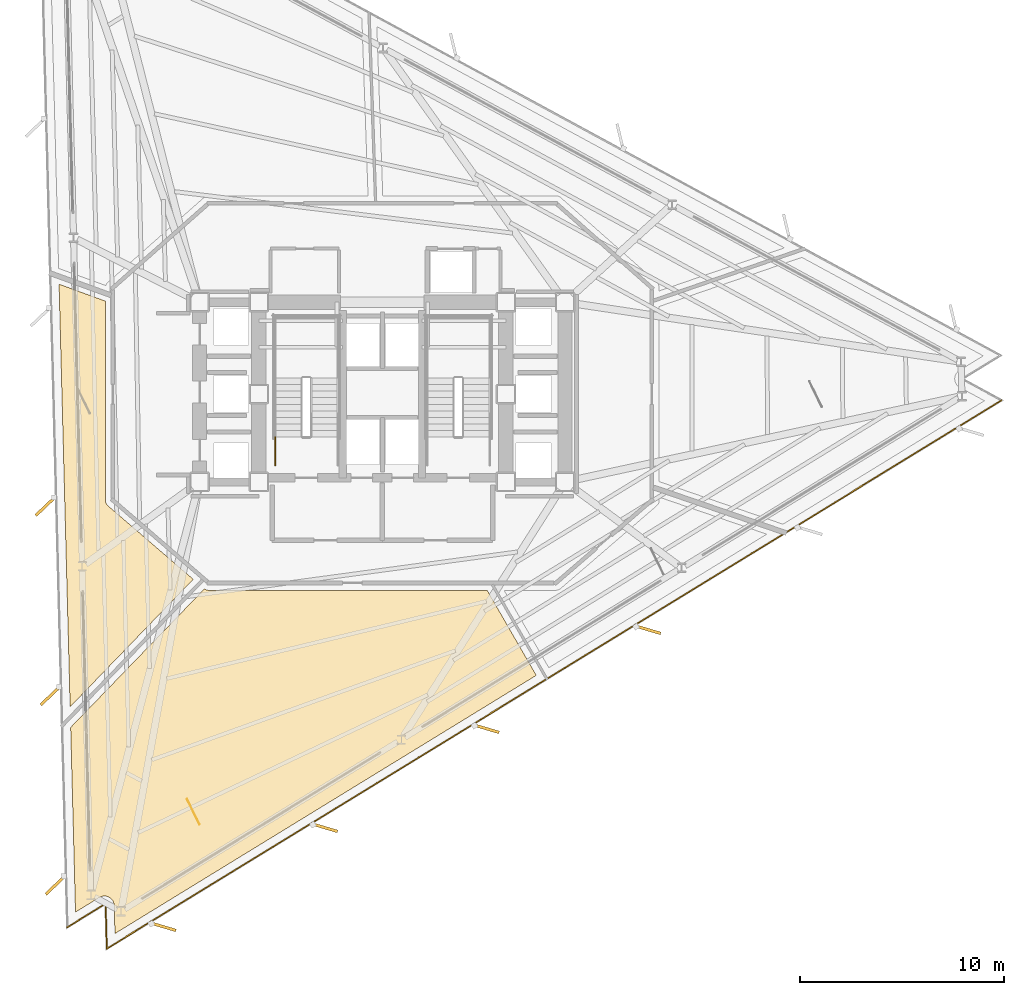
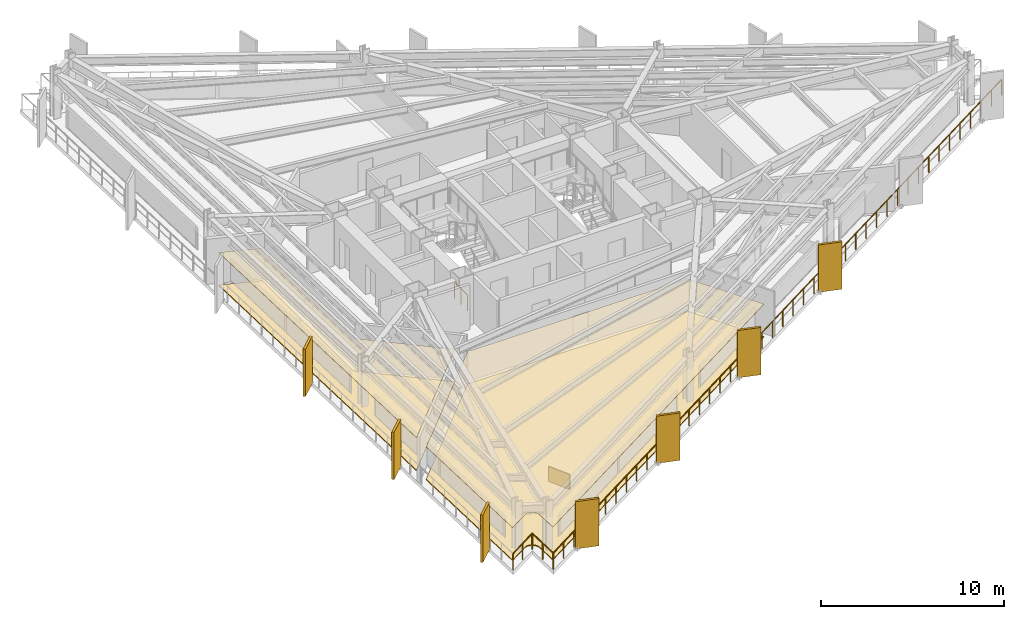
# One storey, part 10 of 14: 7 shading devices, 5 coverings, 2 railings.
"""IFC4 building model written with IfcOpenShell, lengths in metres."""

from ifc_helpers import new_model, si_unit, direction, frame, origin, origin_2d, place, context, subcontext, project, spatial, polyline, rectangle, outline, extrude, material, layer, layer_set, type_object, element, save


model = new_model("IFC4")

# Units and contexts
model_context = context("Model", 3, precision=1e-05, world=origin(), true_north=direction((0.0, 1.0)))
body_context = subcontext(model_context, "Body", "Model", "MODEL_VIEW")
ifc_project = project(units=[si_unit("LENGTHUNIT", "METRE"), si_unit("AREAUNIT", "SQUARE_METRE"), si_unit("VOLUMEUNIT", "CUBIC_METRE"), si_unit("PLANEANGLEUNIT", "RADIAN"), si_unit("MASSUNIT", "GRAM", prefix="KILO")], contexts=[model_context])

# Site, building, storey
site_placement = place(None, origin())
site = spatial("IfcSite", under=ifc_project, at=site_placement, CompositionType="ELEMENT")
building_placement = place(site_placement, origin())
building = spatial("IfcBuilding", under=site, at=building_placement, Name="Rocaltana Carrier Exchange", CompositionType="ELEMENT")
storey_placement = place(building_placement, frame((0.0, 0.0, 42.39990234375)))
storey = spatial("IfcBuildingStorey", under=building, at=storey_placement, Name="L13", CompositionType="ELEMENT", Elevation=42.39990234375)

# Coverings
ifc_material_1 = material(Name="Calcium Sulphate & Aluminium Pedestal", Category="aluminium")
ifc_layer_1 = layer(ifc_material_1, 0.06005859375)
ifc_layer_set_1 = layer_set([ifc_layer_1], Name="Calcium Sulphate & Aluminium Pedestal")
covering_type_1 = type_object("IfcCoveringType", Name="Anti-Static Raised Exchange Access Floor 60", PredefinedType="FLOORING", material=ifc_layer_set_1)
covering_1_placement = place(storey_placement, origin())
element("IfcCovering", 1, at=covering_1_placement, inside=storey, type_object=covering_type_1, Name="L13 Quiet Focus Lounge Finish Floor", PredefinedType="FLOORING", context=body_context, shape_type="SweptSolid", body=[
    extrude(outline(polyline([(-15.83203125, 5.37939453125), (-13.56005859375, 4.55224609375), (-13.56005859375, -5.199951171875), (-13.559814453125, -5.21337890625), (-13.559326171875, -5.220947265625), (-13.556884765625, -5.24755859375), (-13.5556640625, -5.255126953125), (-13.550537109375, -5.281494140625), (-13.548828125, -5.288818359375), (-13.541259765625, -5.314453125), (-13.538818359375, -5.32177734375), (-13.52880859375, -5.346435546875), (-13.525634765625, -5.353515625), (-13.51318359375, -5.377197265625), (-13.509521484375, -5.3837890625), (-13.4951171875, -5.40625), (-13.490478515625, -5.41259765625), (-13.47412109375, -5.433349609375), (-13.468994140625, -5.439208984375), (-13.450439453125, -5.45849609375), (-13.44482421875, -5.4638671875), (-13.43505859375, -5.47265625), (-9.259765625, -9.070556640625), (-15.2900390625, -15.315185546875), (-15.83203125, 5.37939453125)])), origin(), (0.0, 0.0, 1.0), 0.06005859375),
])
covering_2_placement = place(storey_placement, origin())
element("IfcCovering", 2, at=covering_2_placement, inside=storey, type_object=covering_type_1, Name="L13 Quiet Focus Lounge Finish Floor", PredefinedType="FLOORING", context=body_context, shape_type="SweptSolid", body=[
    extrude(outline(polyline([(-13.12939453125, -25.05224609375), (-13.1298828125, -25.038330078125), (-13.131591796875, -25.018310546875), (-13.135009765625, -24.99072265625), (-13.138427734375, -24.97119140625), (-13.144775390625, -24.94384765625), (-13.150146484375, -24.9248046875), (-13.1591796875, -24.898193359375), (-13.16650390625, -24.879638671875), (-13.177978515625, -24.854248046875), (-13.18701171875, -24.83642578125), (-13.200927734375, -24.8125), (-13.2119140625, -24.795654296875), (-13.228271484375, -24.77294921875), (-13.240478515625, -24.75732421875), (-13.259033203125, -24.736572265625), (-13.273193359375, -24.722412109375), (-13.29345703125, -24.703369140625), (-13.308837890625, -24.6904296875), (-13.3310546875, -24.673583984375), (-13.34765625, -24.66259765625), (-13.371337890625, -24.64794921875), (-13.388916015625, -24.638427734375), (-13.4140625, -24.626220703125), (-13.4326171875, -24.61865234375), (-13.458740234375, -24.609130859375), (-13.477783203125, -24.603271484375), (-13.5048828125, -24.596435546875), (-13.5244140625, -24.592529296875), (-13.552001953125, -24.58837890625), (-13.57177734375, -24.58642578125), (-13.599609375, -24.5849609375), (-13.61962890625, -24.585205078125), (-13.6474609375, -24.58642578125), (-13.66748046875, -24.58837890625), (-13.695068359375, -24.5927734375), (-13.714599609375, -24.5966796875), (-13.74169921875, -24.603515625), (-13.760498046875, -24.609619140625), (-13.786865234375, -24.619140625), (-13.80517578125, -24.626708984375), (-13.830322265625, -24.638916015625), (-13.847900390625, -24.6484375), (-13.85986328125, -24.655517578125), (-15.02685546875, -25.37060546875), (-15.263671875, -16.32421875), (-8.71240234375, -9.540283203125), (-8.6943359375, -9.552978515625), (-8.6875, -9.557373046875), (-8.66259765625, -9.571044921875), (-8.6552734375, -9.57470703125), (-8.629150390625, -9.5859375), (-8.62158203125, -9.5888671875), (-8.594482421875, -9.597412109375), (-8.58642578125, -9.599365234375), (-8.55859375, -9.60498046875), (-8.550537109375, -9.606201171875), (-8.522216796875, -9.609130859375), (-8.51416015625, -9.609619140625), (-8.5, -9.610107421875), (5.132568359375, -9.610107421875), (7.53857421875, -13.777099609375), (-13.093505859375, -26.42041015625), (-13.12939453125, -25.05224609375)])), origin(), (0.0, 0.0, 1.0), 0.06005859375),
])
ifc_material_2 = material(Name="Mineral Fibre & Powder-Coated Aluminium", Category="aluminium")
ifc_layer_2 = layer(ifc_material_2, 0.044921875)
ifc_layer_set_2 = layer_set([ifc_layer_2], Name="Mineral Fibre & Powder-Coated Aluminium")
covering_type_2 = type_object("IfcCoveringType", Name="Micro-Perforated Acoustic Ceiling 45", PredefinedType="CEILING", material=ifc_layer_set_2)
covering_3_placement = place(storey_placement, frame((0.0, 0.0, 2.18310546875)))
element("IfcCovering", 3, at=covering_3_placement, inside=storey, type_object=covering_type_2, Name="L13 Quiet Focus Lounge Acoustic Ceiling", PredefinedType="CEILING", context=body_context, shape_type="SweptSolid", body=[
    extrude(outline(polyline([(-15.83203125, 5.37939453125), (-13.56005859375, 4.55224609375), (-13.56005859375, -5.199951171875), (-13.559814453125, -5.21337890625), (-13.559326171875, -5.220947265625), (-13.556884765625, -5.24755859375), (-13.5556640625, -5.255126953125), (-13.550537109375, -5.281494140625), (-13.548828125, -5.288818359375), (-13.541259765625, -5.314453125), (-13.538818359375, -5.32177734375), (-13.52880859375, -5.346435546875), (-13.525634765625, -5.353515625), (-13.51318359375, -5.377197265625), (-13.509521484375, -5.3837890625), (-13.4951171875, -5.40625), (-13.490478515625, -5.41259765625), (-13.47412109375, -5.433349609375), (-13.468994140625, -5.439208984375), (-13.450439453125, -5.45849609375), (-13.44482421875, -5.4638671875), (-13.43505859375, -5.47265625), (-9.259765625, -9.070556640625), (-15.2900390625, -15.315185546875), (-15.83203125, 5.37939453125)])), origin(), (0.0, 0.0, 1.0), 0.044921875),
])
covering_4_placement = place(storey_placement, frame((0.0, 0.0, 2.18310546875)))
element("IfcCovering", 4, at=covering_4_placement, inside=storey, type_object=covering_type_2, Name="L13 Quiet Focus Lounge Acoustic Ceiling", PredefinedType="CEILING", context=body_context, shape_type="SweptSolid", body=[
    extrude(outline(polyline([(-13.12939453125, -25.05224609375), (-13.1298828125, -25.038330078125), (-13.131591796875, -25.018310546875), (-13.135009765625, -24.99072265625), (-13.138427734375, -24.97119140625), (-13.144775390625, -24.94384765625), (-13.150146484375, -24.9248046875), (-13.1591796875, -24.898193359375), (-13.16650390625, -24.879638671875), (-13.177978515625, -24.854248046875), (-13.18701171875, -24.83642578125), (-13.200927734375, -24.8125), (-13.2119140625, -24.795654296875), (-13.228271484375, -24.77294921875), (-13.240478515625, -24.75732421875), (-13.259033203125, -24.736572265625), (-13.273193359375, -24.722412109375), (-13.29345703125, -24.703369140625), (-13.308837890625, -24.6904296875), (-13.3310546875, -24.673583984375), (-13.34765625, -24.66259765625), (-13.371337890625, -24.64794921875), (-13.388916015625, -24.638427734375), (-13.4140625, -24.626220703125), (-13.4326171875, -24.61865234375), (-13.458740234375, -24.609130859375), (-13.477783203125, -24.603271484375), (-13.5048828125, -24.596435546875), (-13.5244140625, -24.592529296875), (-13.552001953125, -24.58837890625), (-13.57177734375, -24.58642578125), (-13.599609375, -24.5849609375), (-13.61962890625, -24.585205078125), (-13.6474609375, -24.58642578125), (-13.66748046875, -24.58837890625), (-13.695068359375, -24.5927734375), (-13.714599609375, -24.5966796875), (-13.74169921875, -24.603515625), (-13.760498046875, -24.609619140625), (-13.786865234375, -24.619140625), (-13.80517578125, -24.626708984375), (-13.830322265625, -24.638916015625), (-13.847900390625, -24.6484375), (-13.85986328125, -24.655517578125), (-15.02685546875, -25.37060546875), (-15.263671875, -16.32421875), (-8.71240234375, -9.540283203125), (-8.6943359375, -9.552978515625), (-8.6875, -9.557373046875), (-8.66259765625, -9.571044921875), (-8.6552734375, -9.57470703125), (-8.629150390625, -9.5859375), (-8.62158203125, -9.5888671875), (-8.594482421875, -9.597412109375), (-8.58642578125, -9.599365234375), (-8.55859375, -9.60498046875), (-8.550537109375, -9.606201171875), (-8.522216796875, -9.609130859375), (-8.51416015625, -9.609619140625), (-8.5, -9.610107421875), (5.132568359375, -9.610107421875), (7.53857421875, -13.777099609375), (-13.093505859375, -26.42041015625), (-13.12939453125, -25.05224609375)])), origin(), (0.0, 0.0, 1.0), 0.044921875),
])

# Railing
ifc_material_3 = material(Name="Powder-Coated Aluminium 6063-T6", Category="aluminium")
ifc_layer_3 = layer(ifc_material_3, 0.048095703125)
ifc_layer_set_3 = layer_set([ifc_layer_3], Name="Powder-Coated Aluminium 6063-T6")
railing_type_1 = type_object("IfcRailingType", Name="Stair Well Guardrail 1100", PredefinedType="GUARDRAIL", material=ifc_layer_set_3)
railing_1_placement = place(storey_placement, frame((-5.25, -3.5, 0.0)))
element("IfcRailing", 5, at=railing_1_placement, inside=storey, type_object=railing_type_1, Name="L13 ST-1 stair guard 9", PredefinedType="GUARDRAIL", context=body_context, shape_type="SweptSolid", body=[
    extrude(rectangle(XDim=0.048095703125, YDim=0.048095703125, at=origin_2d()), frame((0.0, 0.0, 1.076171875), z_axis=(0.0, 1.0, 0.0), x_axis=(-1.0, 0.0, 0.0)), (0.0, 0.0, 1.0), 1.39990234375),
    extrude(rectangle(XDim=0.0419921875, YDim=0.0419921875, at=origin_2d()), origin(), (0.0, 0.0, 1.0), 1.052001953125),
    extrude(rectangle(XDim=0.0419921875, YDim=0.0419921875, at=origin_2d()), frame((0.0, 0.699951171875, 0.0)), (0.0, 0.0, 1.0), 1.052001953125),
    extrude(rectangle(XDim=0.0419921875, YDim=0.0419921875, at=origin_2d()), frame((0.0, 1.39990234375, 0.0)), (0.0, 0.0, 1.0), 1.052001953125),
])

# Covering
ifc_material_4 = material(Name="Honed Piedra Muneca Sandstone", Category="masonry")
ifc_layer_4 = layer(ifc_material_4, 0.034912109375)
ifc_layer_set_4 = layer_set([ifc_layer_4], Name="Honed Piedra Muneca Sandstone")
covering_type_3 = type_object("IfcCoveringType", Name="Stone Facade Cladding 35", PredefinedType="CLADDING", material=ifc_layer_set_4)
covering_5_placement = place(storey_placement, frame((-9.2568359375, -20.45458984375, 0.0), z_axis=(0.0, 0.0, 1.0), x_axis=(-0.438371146789, 0.898794046299, 0.0)))
element("IfcCovering", 6, at=covering_5_placement, inside=storey, type_object=covering_type_3, Name="L13 Stone Facade Cladding Panel 2", PredefinedType="CLADDING", context=body_context, shape_type="SweptSolid", body=[
    extrude(rectangle(XDim=1.39990234375, YDim=0.034912109375, at=origin_2d()), origin(), (0.0, 0.0, 1.0), 1.050048828125),
])

# Shading devices
ifc_material_5 = material(Name="Honed Bogota Sandstone & Concrete C45/55", Category="masonry")
ifc_layer_5 = layer(ifc_material_5, 0.139892578125)
ifc_layer_set_5 = layer_set([ifc_layer_5], Name="Honed Bogota Sandstone & Concrete C45/55")
shading_device_type = type_object("IfcShadingDeviceType", Name="Vertical Sandstone Shading Fin 1320x140", PredefinedType="USERDEFINED", material=ifc_layer_set_5)
for number, where, z_axis, x_axis, name in (
    (7, (-16.488525390625, -5.48828125, -0.1201171875), (0.0, 0.0, 1.0), (-0.725374371012, -0.688354575694, 0.0), "L13 Sandstone Vertical Fin F2-04"),
    (8, (-16.24560546875, -14.76513671875, -0.1201171875), (0.0, 0.0, 1.0), (-0.725374371012, -0.688354575694, 0.0), "L13 Sandstone Vertical Fin F2-05"),
    (9, (-16.002685546875, -24.0419921875, -0.1201171875), (0.0, 0.0, 1.0), (-0.725374371012, -0.688354575694, 0.0), "L13 Sandstone Vertical Fin F2-06"),
    (10, (-10.740234375, -26.081787109375, -0.1201171875), (0.0, 0.0, 1.0), (0.958819734868, -0.284015344704, 0.0), "L13 Sandstone Vertical Fin F3-01"),
    (11, (-2.82763671875, -21.23291015625, -0.1201171875), (0.0, 0.0, 1.0), (0.958819734868, -0.284015344704, 0.0), "L13 Sandstone Vertical Fin F3-02"),
    (12, (5.084716796875, -16.384033203125, -0.1201171875), (0.0, 0.0, 1.0), (0.958819734868, -0.284015344704, 0.0), "L13 Sandstone Vertical Fin F3-03"),
    (13, (12.997314453125, -11.535400390625, -0.1201171875), (0.0, 0.0, 1.0), (0.958819734868, -0.284015344704, 0.0), "L13 Sandstone Vertical Fin F3-04"),
):
    element("IfcShadingDevice", number, at=place(storey_placement, frame(where, z_axis=z_axis, x_axis=x_axis)), inside=storey, type_object=shading_device_type, Name=name, ObjectType="FIN", PredefinedType="USERDEFINED", context=body_context, shape_type="SweptSolid", body=[
        extrude(rectangle(XDim=1.320068359375, YDim=0.139892578125, at=origin_2d()), origin(), (0.0, 0.0, 1.0), 3.157958984375),
    ])

# Railing
ifc_material_6 = material(Name="Powder-Coated Aluminium 6063-T6", Category="aluminium")
ifc_layer_6 = layer(ifc_material_6, 0.06005859375)
ifc_layer_set_6 = layer_set([ifc_layer_6], Name="Powder-Coated Aluminium 6063-T6")
railing_type_2 = type_object("IfcRailingType", Name="Wind-Floor & Terrace Perimeter Guardrail 1100", PredefinedType="GUARDRAIL", material=ifc_layer_set_6)
railing_2_placement = place(storey_placement, frame((30.32470703125, -0.306396484375, 0.0)))
element("IfcRailing", 14, at=railing_2_placement, inside=storey, type_object=railing_type_2, Name="L13 Perimeter Balcony Guardrail 1", PredefinedType="GUARDRAIL", context=body_context, shape_type="SweptSolid", body=[
    extrude(rectangle(XDim=0.048095703125, YDim=0.048095703125, at=origin_2d()), frame((0.0, 0.0, 1.076171875), z_axis=(-0.852639552838, -0.522499562619, 0.0), x_axis=(0.522499562619, -0.852639552838, 0.0)), (0.0, 0.0, 1.0), 51.39208984375),
    extrude(rectangle(XDim=0.048095703125, YDim=0.048095703125, at=origin_2d()), frame((-43.81884765625, -26.852294921875, 1.076171875), z_axis=(-0.026187042546, 0.999657060598, 0.0), x_axis=(-0.999657060598, -0.026187042546, 0.0)), (0.0, 0.0, 1.0), 2.2001953125),
    extrude(rectangle(XDim=0.048095703125, YDim=0.048095703125, at=origin_2d()), frame((-43.87646484375, -24.65283203125, 1.076171875), z_axis=(-0.852598062579, -0.522567262356, 0.0), x_axis=(0.522567262356, -0.852598062579, 0.0)), (0.0, 0.0, 1.0), 2.199951171875),
    extrude(rectangle(XDim=0.0419921875, YDim=0.0419921875, at=origin_2d()), origin(), (0.0, 0.0, 1.0), 1.052001953125),
    extrude(rectangle(XDim=0.0419921875, YDim=0.0419921875, at=origin_2d()), frame((-1.01904296875, -0.62451171875, 0.0)), (0.0, 0.0, 1.0), 1.052001953125),
    extrude(rectangle(XDim=0.0419921875, YDim=0.0419921875, at=origin_2d()), frame((-2.0380859375, -1.2490234375, 0.0)), (0.0, 0.0, 1.0), 1.052001953125),
    extrude(rectangle(XDim=0.0419921875, YDim=0.0419921875, at=origin_2d()), frame((-3.05712890625, -1.87353515625, 0.0)), (0.0, 0.0, 1.0), 1.052001953125),
    extrude(rectangle(XDim=0.0419921875, YDim=0.0419921875, at=origin_2d()), frame((-4.076171875, -2.497802734375, 0.0)), (0.0, 0.0, 1.0), 1.052001953125),
    extrude(rectangle(XDim=0.0419921875, YDim=0.0419921875, at=origin_2d()), frame((-5.09521484375, -3.122314453125, 0.0)), (0.0, 0.0, 1.0), 1.052001953125),
    extrude(rectangle(XDim=0.0419921875, YDim=0.0419921875, at=origin_2d()), frame((-6.1142578125, -3.746826171875, 0.0)), (0.0, 0.0, 1.0), 1.052001953125),
    extrude(rectangle(XDim=0.0419921875, YDim=0.0419921875, at=origin_2d()), frame((-7.13330078125, -4.371337890625, 0.0)), (0.0, 0.0, 1.0), 1.052001953125),
    extrude(rectangle(XDim=0.0419921875, YDim=0.0419921875, at=origin_2d()), frame((-8.15234375, -4.995849609375, 0.0)), (0.0, 0.0, 1.0), 1.052001953125),
    extrude(rectangle(XDim=0.0419921875, YDim=0.0419921875, at=origin_2d()), frame((-9.17138671875, -5.620361328125, 0.0)), (0.0, 0.0, 1.0), 1.052001953125),
    extrude(rectangle(XDim=0.0419921875, YDim=0.0419921875, at=origin_2d()), frame((-10.1904296875, -6.24462890625, 0.0)), (0.0, 0.0, 1.0), 1.052001953125),
    extrude(rectangle(XDim=0.0419921875, YDim=0.0419921875, at=origin_2d()), frame((-11.20947265625, -6.869140625, 0.0)), (0.0, 0.0, 1.0), 1.052001953125),
    extrude(rectangle(XDim=0.0419921875, YDim=0.0419921875, at=origin_2d()), frame((-12.228515625, -7.49365234375, 0.0)), (0.0, 0.0, 1.0), 1.052001953125),
    extrude(rectangle(XDim=0.0419921875, YDim=0.0419921875, at=origin_2d()), frame((-13.24755859375, -8.1181640625, 0.0)), (0.0, 0.0, 1.0), 1.052001953125),
    extrude(rectangle(XDim=0.0419921875, YDim=0.0419921875, at=origin_2d()), frame((-14.2666015625, -8.74267578125, 0.0)), (0.0, 0.0, 1.0), 1.052001953125),
    extrude(rectangle(XDim=0.0419921875, YDim=0.0419921875, at=origin_2d()), frame((-15.28564453125, -9.3671875, 0.0)), (0.0, 0.0, 1.0), 1.052001953125),
    extrude(rectangle(XDim=0.0419921875, YDim=0.0419921875, at=origin_2d()), frame((-16.3046875, -9.991455078125, 0.0)), (0.0, 0.0, 1.0), 1.052001953125),
    extrude(rectangle(XDim=0.0419921875, YDim=0.0419921875, at=origin_2d()), frame((-17.32373046875, -10.615966796875, 0.0)), (0.0, 0.0, 1.0), 1.052001953125),
    extrude(rectangle(XDim=0.0419921875, YDim=0.0419921875, at=origin_2d()), frame((-18.3427734375, -11.240478515625, 0.0)), (0.0, 0.0, 1.0), 1.052001953125),
    extrude(rectangle(XDim=0.0419921875, YDim=0.0419921875, at=origin_2d()), frame((-19.36181640625, -11.864990234375, 0.0)), (0.0, 0.0, 1.0), 1.052001953125),
    extrude(rectangle(XDim=0.0419921875, YDim=0.0419921875, at=origin_2d()), frame((-20.380859375, -12.489501953125, 0.0)), (0.0, 0.0, 1.0), 1.052001953125),
    extrude(rectangle(XDim=0.0419921875, YDim=0.0419921875, at=origin_2d()), frame((-21.39990234375, -13.114013671875, 0.0)), (0.0, 0.0, 1.0), 1.052001953125),
    extrude(rectangle(XDim=0.0419921875, YDim=0.0419921875, at=origin_2d()), frame((-22.4189453125, -13.73828125, 0.0)), (0.0, 0.0, 1.0), 1.052001953125),
    extrude(rectangle(XDim=0.0419921875, YDim=0.0419921875, at=origin_2d()), frame((-23.43798828125, -14.36279296875, 0.0)), (0.0, 0.0, 1.0), 1.052001953125),
    extrude(rectangle(XDim=0.0419921875, YDim=0.0419921875, at=origin_2d()), frame((-24.45703125, -14.9873046875, 0.0)), (0.0, 0.0, 1.0), 1.052001953125),
    extrude(rectangle(XDim=0.0419921875, YDim=0.0419921875, at=origin_2d()), frame((-25.47607421875, -15.61181640625, 0.0)), (0.0, 0.0, 1.0), 1.052001953125),
    extrude(rectangle(XDim=0.0419921875, YDim=0.0419921875, at=origin_2d()), frame((-26.4951171875, -16.236328125, 0.0)), (0.0, 0.0, 1.0), 1.052001953125),
    extrude(rectangle(XDim=0.0419921875, YDim=0.0419921875, at=origin_2d()), frame((-27.51416015625, -16.86083984375, 0.0)), (0.0, 0.0, 1.0), 1.052001953125),
    extrude(rectangle(XDim=0.0419921875, YDim=0.0419921875, at=origin_2d()), frame((-28.533203125, -17.485107421875, 0.0)), (0.0, 0.0, 1.0), 1.052001953125),
    extrude(rectangle(XDim=0.0419921875, YDim=0.0419921875, at=origin_2d()), frame((-29.55224609375, -18.109619140625, 0.0)), (0.0, 0.0, 1.0), 1.052001953125),
    extrude(rectangle(XDim=0.0419921875, YDim=0.0419921875, at=origin_2d()), frame((-30.5712890625, -18.734130859375, 0.0)), (0.0, 0.0, 1.0), 1.052001953125),
    extrude(rectangle(XDim=0.0419921875, YDim=0.0419921875, at=origin_2d()), frame((-31.59033203125, -19.358642578125, 0.0)), (0.0, 0.0, 1.0), 1.052001953125),
    extrude(rectangle(XDim=0.0419921875, YDim=0.0419921875, at=origin_2d()), frame((-32.609375, -19.983154296875, 0.0)), (0.0, 0.0, 1.0), 1.052001953125),
    extrude(rectangle(XDim=0.0419921875, YDim=0.0419921875, at=origin_2d()), frame((-33.62841796875, -20.607666015625, 0.0)), (0.0, 0.0, 1.0), 1.052001953125),
    extrude(rectangle(XDim=0.0419921875, YDim=0.0419921875, at=origin_2d()), frame((-34.6474609375, -21.23193359375, 0.0)), (0.0, 0.0, 1.0), 1.052001953125),
    extrude(rectangle(XDim=0.0419921875, YDim=0.0419921875, at=origin_2d()), frame((-35.66650390625, -21.8564453125, 0.0)), (0.0, 0.0, 1.0), 1.052001953125),
    extrude(rectangle(XDim=0.0419921875, YDim=0.0419921875, at=origin_2d()), frame((-36.685546875, -22.48095703125, 0.0)), (0.0, 0.0, 1.0), 1.052001953125),
    extrude(rectangle(XDim=0.0419921875, YDim=0.0419921875, at=origin_2d()), frame((-37.70458984375, -23.10546875, 0.0)), (0.0, 0.0, 1.0), 1.052001953125),
    extrude(rectangle(XDim=0.0419921875, YDim=0.0419921875, at=origin_2d()), frame((-38.7236328125, -23.72998046875, 0.0)), (0.0, 0.0, 1.0), 1.052001953125),
    extrude(rectangle(XDim=0.0419921875, YDim=0.0419921875, at=origin_2d()), frame((-39.74267578125, -24.3544921875, 0.0)), (0.0, 0.0, 1.0), 1.052001953125),
    extrude(rectangle(XDim=0.0419921875, YDim=0.0419921875, at=origin_2d()), frame((-40.76171875, -24.978759765625, 0.0)), (0.0, 0.0, 1.0), 1.052001953125),
    extrude(rectangle(XDim=0.0419921875, YDim=0.0419921875, at=origin_2d()), frame((-41.78076171875, -25.603271484375, 0.0)), (0.0, 0.0, 1.0), 1.052001953125),
    extrude(rectangle(XDim=0.0419921875, YDim=0.0419921875, at=origin_2d()), frame((-42.7998046875, -26.227783203125, 0.0)), (0.0, 0.0, 1.0), 1.052001953125),
    extrude(rectangle(XDim=0.0419921875, YDim=0.0419921875, at=origin_2d()), frame((-43.81884765625, -26.852294921875, 0.0)), (0.0, 0.0, 1.0), 1.052001953125),
    extrude(rectangle(XDim=0.0419921875, YDim=0.0419921875, at=origin_2d()), frame((-43.84765625, -25.75244140625, 0.0)), (0.0, 0.0, 1.0), 1.052001953125),
    extrude(rectangle(XDim=0.0419921875, YDim=0.0419921875, at=origin_2d()), frame((-43.87646484375, -24.65283203125, 0.0)), (0.0, 0.0, 1.0), 1.052001953125),
    extrude(rectangle(XDim=0.0419921875, YDim=0.0419921875, at=origin_2d()), frame((-44.814453125, -25.2275390625, 0.0)), (0.0, 0.0, 1.0), 1.052001953125),
    extrude(rectangle(XDim=0.0419921875, YDim=0.0419921875, at=origin_2d()), frame((-45.752197265625, -25.802490234375, 0.0)), (0.0, 0.0, 1.0), 1.052001953125),
])

save(model, "model.ifc")
